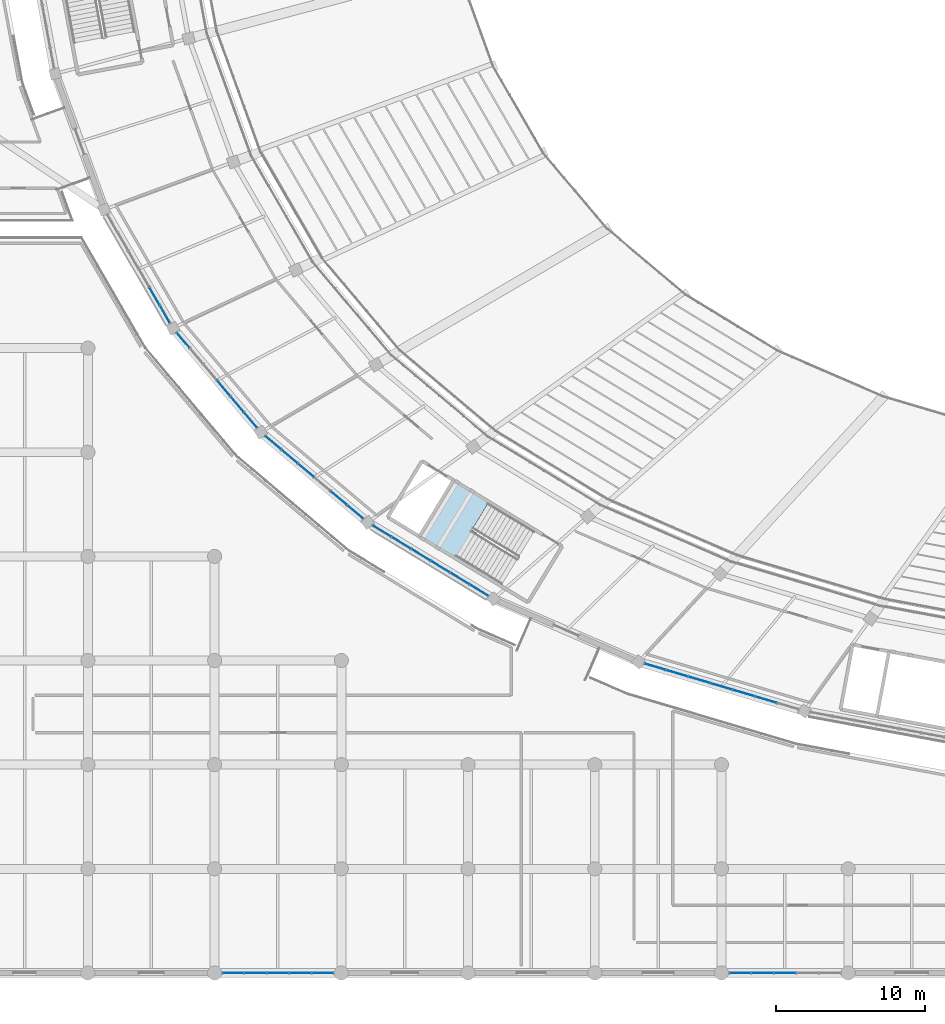
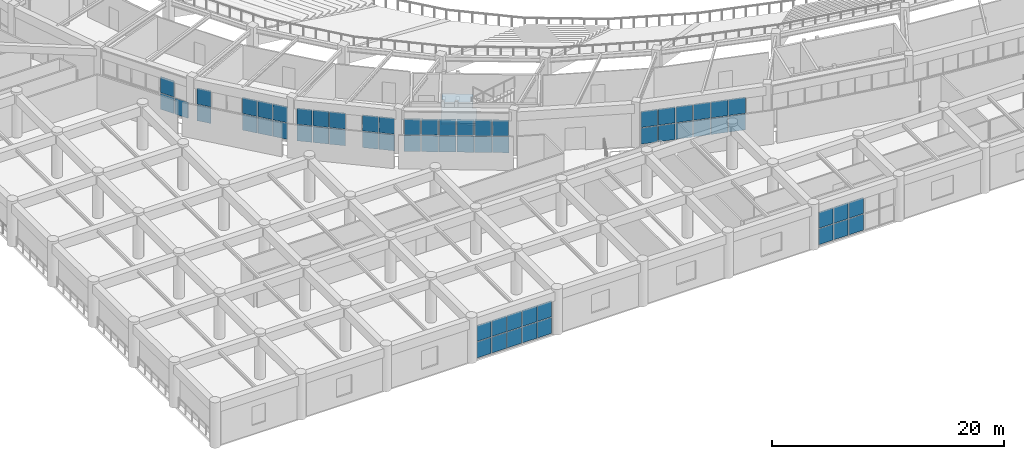
# One storey, part 74 of 137: 61 plates, 1 slab, 8 elements without a shape of their own.
"""IFC4 building model written with IfcOpenShell, lengths in metres."""

from ifc_helpers import new_model, si_unit, direction, frame, origin, origin_2d, place, context, subcontext, project, spatial, polyline, rectangle, outline, extrude, material, layer, layer_set, type_object, element, aggregate, save


model = new_model("IFC4")

# Units and contexts
model_context = context("Model", 3, precision=1e-05, world=origin(), true_north=direction((0.0, 1.0)))
body_context = subcontext(model_context, "Body", "Model", "MODEL_VIEW")
ifc_project = project(units=[si_unit("LENGTHUNIT", "METRE"), si_unit("AREAUNIT", "SQUARE_METRE"), si_unit("VOLUMEUNIT", "CUBIC_METRE"), si_unit("PLANEANGLEUNIT", "RADIAN"), si_unit("MASSUNIT", "GRAM", prefix="KILO")], contexts=[model_context])

# Site, building, storey
site_placement = place(None, origin())
site = spatial("IfcSite", under=ifc_project, at=site_placement, CompositionType="ELEMENT")
building_placement = place(site_placement, origin())
building = spatial("IfcBuilding", under=site, at=building_placement, Name="Mphavela Belvedere Stadium", CompositionType="ELEMENT")
storey_placement = place(building_placement, frame((0.0, 0.0, 19.199951171875)))
storey = spatial("IfcBuildingStorey", under=building, at=storey_placement, Name="L04", CompositionType="ELEMENT", Elevation=19.199951171875)

# Curtain wall, plates
ifc_material_1 = material(Name="Anodised bronze unitised curtain wall framing")
ifc_layer_1 = layer(ifc_material_1, 0.18994140625)
ifc_layer_set_1 = layer_set([ifc_layer_1], Name="Anodised bronze unitised curtain wall framing")
curtain_wall_type_1 = type_object("IfcCurtainWallType", Name="CW-UNIT-03", PredefinedType="USERDEFINED", material=ifc_layer_set_1)
curtain_wall_1_placement = place(storey_placement, origin())
curtain_wall_1 = element("IfcCurtainWall", 1, at=curtain_wall_1_placement, inside=storey, type_object=curtain_wall_type_1, Name="Belvedere colonnade curtain wall L04-28", ObjectType="UNITISED CURTAIN WALL", PredefinedType="USERDEFINED")
ifc_material_2 = material(Name="Solar-control double glazing", Category="glass")
ifc_layer_2 = layer(ifc_material_2, 0.031982421875)
ifc_layer_set_2 = layer_set([ifc_layer_2], Name="Solar-control double glazing")
plate_type = type_object("IfcPlateType", Name="CWP-SOLAR-GLASS", PredefinedType="CURTAIN_PANEL", material=ifc_layer_set_2)
plate_1_placement = place(storey_placement, frame((21.51708984375, 45.48388671875, 0.06005859375), z_axis=(0.0, 0.0, 1.0), x_axis=(0.500555998906, -0.865704159606, 0.0)))
plate_1 = element("IfcPlate", 2, at=plate_1_placement, type_object=plate_type, Name="CW-03 panel 5.1", PredefinedType="CURTAIN_PANEL", context=body_context, shape_type="SweptSolid", body=[
    extrude(rectangle(XDim=1.355224609375, YDim=0.031982421875, at=origin_2d()), origin(), (0.0, 0.0, 1.0), 1.695068359375),
])
plate_2_placement = place(storey_placement, frame((21.51708984375, 45.48388671875, 1.81494140625), z_axis=(0.0, 0.0, 1.0), x_axis=(0.500555998906, -0.865704159606, 0.0)))
plate_2 = element("IfcPlate", 3, at=plate_2_placement, type_object=plate_type, Name="CW-03 panel 5.2", PredefinedType="CURTAIN_PANEL", context=body_context, shape_type="SweptSolid", body=[
    extrude(rectangle(XDim=1.355224609375, YDim=0.031982421875, at=origin_2d()), origin(), (0.0, 0.0, 1.0), 1.695068359375),
])
plate_3_placement = place(storey_placement, frame((22.2197265625, 44.2685546875, 0.06005859375), z_axis=(0.0, 0.0, 1.0), x_axis=(0.500555998906, -0.865704159606, 0.0)))
plate_3 = element("IfcPlate", 4, at=plate_3_placement, type_object=plate_type, Name="CW-03 panel 6.1", PredefinedType="CURTAIN_PANEL", context=body_context, shape_type="SweptSolid", body=[
    extrude(rectangle(XDim=1.32275390625, YDim=0.031982421875, at=origin_2d()), origin(), (0.0, 0.0, 1.0), 1.695068359375),
])
aggregate(curtain_wall_1, [plate_1, plate_2, plate_3])

ifc_material_3 = material(Name="Anodised bronze unitised curtain wall framing")
ifc_layer_3 = layer(ifc_material_3, 0.195068359375)
ifc_layer_set_3 = layer_set([ifc_layer_3], Name="Anodised bronze unitised curtain wall framing")
curtain_wall_type_2 = type_object("IfcCurtainWallType", Name="CW-UNIT-04", PredefinedType="USERDEFINED", material=ifc_layer_set_3)
curtain_wall_2_placement = place(storey_placement, origin())
curtain_wall_2 = element("IfcCurtainWall", 5, at=curtain_wall_2_placement, inside=storey, type_object=curtain_wall_type_2, Name="Belvedere colonnade curtain wall L04-29", ObjectType="UNITISED CURTAIN WALL", PredefinedType="USERDEFINED")
plate_4_placement = place(storey_placement, frame((23.447021484375, 42.521728515625, 0.06005859375), z_axis=(0.0, 0.0, 1.0), x_axis=(0.645175294774, -0.764034579723, 0.0)))
plate_4 = element("IfcPlate", 6, at=plate_4_placement, type_object=plate_type, Name="CW-04 panel 1.1", PredefinedType="CURTAIN_PANEL", context=body_context, shape_type="SweptSolid", body=[
    extrude(rectangle(XDim=1.311767578125, YDim=0.031982421875, at=origin_2d()), origin(), (0.0, 0.0, 1.0), 1.695068359375),
])
plate_5_placement = place(storey_placement, frame((23.447021484375, 42.521728515625, 1.81494140625), z_axis=(0.0, 0.0, 1.0), x_axis=(0.645175294774, -0.764034579723, 0.0)))
plate_5 = element("IfcPlate", 7, at=plate_5_placement, type_object=plate_type, Name="CW-04 panel 1.2", PredefinedType="CURTAIN_PANEL", context=body_context, shape_type="SweptSolid", body=[
    extrude(rectangle(XDim=1.311767578125, YDim=0.031982421875, at=origin_2d()), origin(), (0.0, 0.0, 1.0), 1.695068359375),
])
plate_6_placement = place(storey_placement, frame((26.164306640625, 39.30419921875, 0.06005859375), z_axis=(0.0, 0.0, 1.0), x_axis=(0.645175294774, -0.764034579723, 0.0)))
plate_6 = element("IfcPlate", 8, at=plate_6_placement, type_object=plate_type, Name="CW-04 panel 4.1", PredefinedType="CURTAIN_PANEL", context=body_context, shape_type="SweptSolid", body=[
    extrude(rectangle(XDim=1.34423828125, YDim=0.031982421875, at=origin_2d()), origin(), (0.0, 0.0, 1.0), 1.695068359375),
])
plate_7_placement = place(storey_placement, frame((26.164306640625, 39.30419921875, 1.81494140625), z_axis=(0.0, 0.0, 1.0), x_axis=(0.645175294774, -0.764034579723, 0.0)))
plate_7 = element("IfcPlate", 9, at=plate_7_placement, type_object=plate_type, Name="CW-04 panel 4.2", PredefinedType="CURTAIN_PANEL", context=body_context, shape_type="SweptSolid", body=[
    extrude(rectangle(XDim=1.34423828125, YDim=0.031982421875, at=origin_2d()), origin(), (0.0, 0.0, 1.0), 1.695068359375),
])
plate_8_placement = place(storey_placement, frame((27.073486328125, 38.2275390625, 0.06005859375), z_axis=(0.0, 0.0, 1.0), x_axis=(0.645175294774, -0.764034579723, 0.0)))
plate_8 = element("IfcPlate", 10, at=plate_8_placement, type_object=plate_type, Name="CW-04 panel 5.1", PredefinedType="CURTAIN_PANEL", context=body_context, shape_type="SweptSolid", body=[
    extrude(rectangle(XDim=1.34423828125, YDim=0.031982421875, at=origin_2d()), origin(), (0.0, 0.0, 1.0), 1.695068359375),
])
plate_9_placement = place(storey_placement, frame((27.073486328125, 38.2275390625, 1.81494140625), z_axis=(0.0, 0.0, 1.0), x_axis=(0.645175294774, -0.764034579723, 0.0)))
plate_9 = element("IfcPlate", 11, at=plate_9_placement, type_object=plate_type, Name="CW-04 panel 5.2", PredefinedType="CURTAIN_PANEL", context=body_context, shape_type="SweptSolid", body=[
    extrude(rectangle(XDim=1.34423828125, YDim=0.031982421875, at=origin_2d()), origin(), (0.0, 0.0, 1.0), 1.695068359375),
])
plate_10_placement = place(storey_placement, frame((27.97216796875, 37.1630859375, 0.06005859375), z_axis=(0.0, 0.0, 1.0), x_axis=(0.645175294774, -0.764034579723, 0.0)))
plate_10 = element("IfcPlate", 12, at=plate_10_placement, type_object=plate_type, Name="CW-04 panel 6.1", PredefinedType="CURTAIN_PANEL", context=body_context, shape_type="SweptSolid", body=[
    extrude(rectangle(XDim=1.311767578125, YDim=0.031982421875, at=origin_2d()), origin(), (0.0, 0.0, 1.0), 1.695068359375),
])
plate_11_placement = place(storey_placement, frame((27.97216796875, 37.1630859375, 1.81494140625), z_axis=(0.0, 0.0, 1.0), x_axis=(0.645175294774, -0.764034579723, 0.0)))
plate_11 = element("IfcPlate", 13, at=plate_11_placement, type_object=plate_type, Name="CW-04 panel 6.2", PredefinedType="CURTAIN_PANEL", context=body_context, shape_type="SweptSolid", body=[
    extrude(rectangle(XDim=1.311767578125, YDim=0.031982421875, at=origin_2d()), origin(), (0.0, 0.0, 1.0), 1.695068359375),
])
aggregate(curtain_wall_2, [plate_4, plate_5, plate_6, plate_7, plate_8, plate_9, plate_10, plate_11])

ifc_material_4 = material(Name="Anodised bronze unitised curtain wall framing")
ifc_layer_4 = layer(ifc_material_4, 0.199951171875)
ifc_layer_set_4 = layer_set([ifc_layer_4], Name="Anodised bronze unitised curtain wall framing")
curtain_wall_type_3 = type_object("IfcCurtainWallType", Name="CW-UNIT-05", PredefinedType="USERDEFINED", material=ifc_layer_set_4)
curtain_wall_3_placement = place(storey_placement, origin())
curtain_wall_3 = element("IfcCurtainWall", 14, at=curtain_wall_3_placement, inside=storey, type_object=curtain_wall_type_3, Name="Belvedere colonnade curtain wall L04-30", ObjectType="UNITISED CURTAIN WALL", PredefinedType="USERDEFINED")
plate_12_placement = place(storey_placement, frame((29.494384765625, 35.64404296875, 0.06005859375), z_axis=(0.0, 0.0, 1.0), x_axis=(0.764253429051, -0.644916038089, 0.0)))
plate_12 = element("IfcPlate", 15, at=plate_12_placement, type_object=plate_type, Name="CW-05 panel 1.1", PredefinedType="CURTAIN_PANEL", context=body_context, shape_type="SweptSolid", body=[
    extrude(rectangle(XDim=1.352783203125, YDim=0.031982421875, at=origin_2d()), origin(), (0.0, 0.0, 1.0), 1.695068359375),
])
plate_13_placement = place(storey_placement, frame((29.494384765625, 35.64404296875, 1.81494140625), z_axis=(0.0, 0.0, 1.0), x_axis=(0.764253429051, -0.644916038089, 0.0)))
plate_13 = element("IfcPlate", 16, at=plate_13_placement, type_object=plate_type, Name="CW-05 panel 1.2", PredefinedType="CURTAIN_PANEL", context=body_context, shape_type="SweptSolid", body=[
    extrude(rectangle(XDim=1.352783203125, YDim=0.031982421875, at=origin_2d()), origin(), (0.0, 0.0, 1.0), 1.695068359375),
])
plate_14_placement = place(storey_placement, frame((30.59033203125, 34.718994140625, 0.06005859375), z_axis=(0.0, 0.0, 1.0), x_axis=(0.764253429051, -0.644916038089, 0.0)))
plate_14 = element("IfcPlate", 17, at=plate_14_placement, type_object=plate_type, Name="CW-05 panel 2.1", PredefinedType="CURTAIN_PANEL", context=body_context, shape_type="SweptSolid", body=[
    extrude(rectangle(XDim=1.38525390625, YDim=0.031982421875, at=origin_2d()), origin(), (0.0, 0.0, 1.0), 1.695068359375),
])
plate_15_placement = place(storey_placement, frame((30.59033203125, 34.718994140625, 1.81494140625), z_axis=(0.0, 0.0, 1.0), x_axis=(0.764253429051, -0.644916038089, 0.0)))
plate_15 = element("IfcPlate", 18, at=plate_15_placement, type_object=plate_type, Name="CW-05 panel 2.2", PredefinedType="CURTAIN_PANEL", context=body_context, shape_type="SweptSolid", body=[
    extrude(rectangle(XDim=1.38525390625, YDim=0.031982421875, at=origin_2d()), origin(), (0.0, 0.0, 1.0), 1.695068359375),
])
plate_16_placement = place(storey_placement, frame((31.69873046875, 33.78369140625, 0.06005859375), z_axis=(0.0, 0.0, 1.0), x_axis=(0.764253429051, -0.644916038089, 0.0)))
plate_16 = element("IfcPlate", 19, at=plate_16_placement, type_object=plate_type, Name="CW-05 panel 3.1", PredefinedType="CURTAIN_PANEL", context=body_context, shape_type="SweptSolid", body=[
    extrude(rectangle(XDim=1.38525390625, YDim=0.031982421875, at=origin_2d()), origin(), (0.0, 0.0, 1.0), 1.695068359375),
])
plate_17_placement = place(storey_placement, frame((31.69873046875, 33.78369140625, 1.81494140625), z_axis=(0.0, 0.0, 1.0), x_axis=(0.764253429051, -0.644916038089, 0.0)))
plate_17 = element("IfcPlate", 20, at=plate_17_placement, type_object=plate_type, Name="CW-05 panel 3.2", PredefinedType="CURTAIN_PANEL", context=body_context, shape_type="SweptSolid", body=[
    extrude(rectangle(XDim=1.38525390625, YDim=0.031982421875, at=origin_2d()), origin(), (0.0, 0.0, 1.0), 1.695068359375),
])
plate_18_placement = place(storey_placement, frame((33.915771484375, 31.912841796875, 0.06005859375), z_axis=(0.0, 0.0, 1.0), x_axis=(0.764253429051, -0.644916038089, 0.0)))
plate_18 = element("IfcPlate", 21, at=plate_18_placement, type_object=plate_type, Name="CW-05 panel 5.1", PredefinedType="CURTAIN_PANEL", context=body_context, shape_type="SweptSolid", body=[
    extrude(rectangle(XDim=1.38525390625, YDim=0.031982421875, at=origin_2d()), origin(), (0.0, 0.0, 1.0), 1.695068359375),
])
plate_19_placement = place(storey_placement, frame((33.915771484375, 31.912841796875, 1.81494140625), z_axis=(0.0, 0.0, 1.0), x_axis=(0.764253429051, -0.644916038089, 0.0)))
plate_19 = element("IfcPlate", 22, at=plate_19_placement, type_object=plate_type, Name="CW-05 panel 5.2", PredefinedType="CURTAIN_PANEL", context=body_context, shape_type="SweptSolid", body=[
    extrude(rectangle(XDim=1.38525390625, YDim=0.031982421875, at=origin_2d()), origin(), (0.0, 0.0, 1.0), 1.695068359375),
])
plate_20_placement = place(storey_placement, frame((35.01171875, 30.988037109375, 0.06005859375), z_axis=(0.0, 0.0, 1.0), x_axis=(0.764253429051, -0.644916038089, 0.0)))
plate_20 = element("IfcPlate", 23, at=plate_20_placement, type_object=plate_type, Name="CW-05 panel 6.1", PredefinedType="CURTAIN_PANEL", context=body_context, shape_type="SweptSolid", body=[
    extrude(rectangle(XDim=1.352783203125, YDim=0.031982421875, at=origin_2d()), origin(), (0.0, 0.0, 1.0), 1.695068359375),
])
plate_21_placement = place(storey_placement, frame((35.01171875, 30.988037109375, 1.81494140625), z_axis=(0.0, 0.0, 1.0), x_axis=(0.764253429051, -0.644916038089, 0.0)))
plate_21 = element("IfcPlate", 24, at=plate_21_placement, type_object=plate_type, Name="CW-05 panel 6.2", PredefinedType="CURTAIN_PANEL", context=body_context, shape_type="SweptSolid", body=[
    extrude(rectangle(XDim=1.352783203125, YDim=0.031982421875, at=origin_2d()), origin(), (0.0, 0.0, 1.0), 1.695068359375),
])
aggregate(curtain_wall_3, [plate_12, plate_13, plate_14, plate_15, plate_16, plate_17, plate_18, plate_19, plate_20, plate_21])

ifc_material_5 = material(Name="Anodised bronze unitised curtain wall framing")
ifc_layer_5 = layer(ifc_material_5, 0.205078125)
ifc_layer_set_5 = layer_set([ifc_layer_5], Name="Anodised bronze unitised curtain wall framing")
curtain_wall_type_4 = type_object("IfcCurtainWallType", Name="CW-UNIT-06", PredefinedType="USERDEFINED", material=ifc_layer_set_5)
curtain_wall_4_placement = place(storey_placement, origin())
curtain_wall_4 = element("IfcCurtainWall", 25, at=curtain_wall_4_placement, inside=storey, type_object=curtain_wall_type_4, Name="Belvedere colonnade curtain wall L04-31", ObjectType="UNITISED CURTAIN WALL", PredefinedType="USERDEFINED")
plate_22_placement = place(storey_placement, frame((36.81103515625, 29.697509765625, 0.06005859375), z_axis=(0.0, 0.0, 1.0), x_axis=(0.854327323226, -0.519735341101, 0.0)))
plate_22 = element("IfcPlate", 26, at=plate_22_placement, type_object=plate_type, Name="CW-06 panel 1.1", PredefinedType="CURTAIN_PANEL", context=body_context, shape_type="SweptSolid", body=[
    extrude(rectangle(XDim=1.436767578125, YDim=0.031982421875, at=origin_2d()), origin(), (0.0, 0.0, 1.0), 1.695068359375),
])
plate_23_placement = place(storey_placement, frame((36.81103515625, 29.697509765625, 1.81494140625), z_axis=(0.0, 0.0, 1.0), x_axis=(0.854327323226, -0.519735341101, 0.0)))
plate_23 = element("IfcPlate", 27, at=plate_23_placement, type_object=plate_type, Name="CW-06 panel 1.2", PredefinedType="CURTAIN_PANEL", context=body_context, shape_type="SweptSolid", body=[
    extrude(rectangle(XDim=1.436767578125, YDim=0.031982421875, at=origin_2d()), origin(), (0.0, 0.0, 1.0), 1.695068359375),
])
plate_24_placement = place(storey_placement, frame((38.10791015625, 28.908447265625, 0.06005859375), z_axis=(0.0, 0.0, 1.0), x_axis=(0.854327323226, -0.519735341101, 0.0)))
plate_24 = element("IfcPlate", 28, at=plate_24_placement, type_object=plate_type, Name="CW-06 panel 2.1", PredefinedType="CURTAIN_PANEL", context=body_context, shape_type="SweptSolid", body=[
    extrude(rectangle(XDim=1.46923828125, YDim=0.031982421875, at=origin_2d()), origin(), (0.0, 0.0, 1.0), 1.695068359375),
])
plate_25_placement = place(storey_placement, frame((38.10791015625, 28.908447265625, 1.81494140625), z_axis=(0.0, 0.0, 1.0), x_axis=(0.854327323226, -0.519735341101, 0.0)))
plate_25 = element("IfcPlate", 29, at=plate_25_placement, type_object=plate_type, Name="CW-06 panel 2.2", PredefinedType="CURTAIN_PANEL", context=body_context, shape_type="SweptSolid", body=[
    extrude(rectangle(XDim=1.46923828125, YDim=0.031982421875, at=origin_2d()), origin(), (0.0, 0.0, 1.0), 1.695068359375),
])
plate_26_placement = place(storey_placement, frame((39.418701171875, 28.111083984375, 0.06005859375), z_axis=(0.0, 0.0, 1.0), x_axis=(0.854327323226, -0.519735341101, 0.0)))
plate_26 = element("IfcPlate", 30, at=plate_26_placement, type_object=plate_type, Name="CW-06 panel 3.1", PredefinedType="CURTAIN_PANEL", context=body_context, shape_type="SweptSolid", body=[
    extrude(rectangle(XDim=1.46923828125, YDim=0.031982421875, at=origin_2d()), origin(), (0.0, 0.0, 1.0), 1.695068359375),
])
plate_27_placement = place(storey_placement, frame((39.418701171875, 28.111083984375, 1.81494140625), z_axis=(0.0, 0.0, 1.0), x_axis=(0.854327323226, -0.519735341101, 0.0)))
plate_27 = element("IfcPlate", 31, at=plate_27_placement, type_object=plate_type, Name="CW-06 panel 3.2", PredefinedType="CURTAIN_PANEL", context=body_context, shape_type="SweptSolid", body=[
    extrude(rectangle(XDim=1.46923828125, YDim=0.031982421875, at=origin_2d()), origin(), (0.0, 0.0, 1.0), 1.695068359375),
])
plate_28_placement = place(storey_placement, frame((40.7294921875, 27.3134765625, 0.06005859375), z_axis=(0.0, 0.0, 1.0), x_axis=(0.854327323226, -0.519735341101, 0.0)))
plate_28 = element("IfcPlate", 32, at=plate_28_placement, type_object=plate_type, Name="CW-06 panel 4.1", PredefinedType="CURTAIN_PANEL", context=body_context, shape_type="SweptSolid", body=[
    extrude(rectangle(XDim=1.46923828125, YDim=0.031982421875, at=origin_2d()), origin(), (0.0, 0.0, 1.0), 1.695068359375),
])
plate_29_placement = place(storey_placement, frame((40.7294921875, 27.3134765625, 1.81494140625), z_axis=(0.0, 0.0, 1.0), x_axis=(0.854327323226, -0.519735341101, 0.0)))
plate_29 = element("IfcPlate", 33, at=plate_29_placement, type_object=plate_type, Name="CW-06 panel 4.2", PredefinedType="CURTAIN_PANEL", context=body_context, shape_type="SweptSolid", body=[
    extrude(rectangle(XDim=1.46923828125, YDim=0.031982421875, at=origin_2d()), origin(), (0.0, 0.0, 1.0), 1.695068359375),
])
plate_30_placement = place(storey_placement, frame((42.040283203125, 26.51611328125, 0.06005859375), z_axis=(0.0, 0.0, 1.0), x_axis=(0.854327323226, -0.519735341101, 0.0)))
plate_30 = element("IfcPlate", 34, at=plate_30_placement, type_object=plate_type, Name="CW-06 panel 5.1", PredefinedType="CURTAIN_PANEL", context=body_context, shape_type="SweptSolid", body=[
    extrude(rectangle(XDim=1.46923828125, YDim=0.031982421875, at=origin_2d()), origin(), (0.0, 0.0, 1.0), 1.695068359375),
])
plate_31_placement = place(storey_placement, frame((42.040283203125, 26.51611328125, 1.81494140625), z_axis=(0.0, 0.0, 1.0), x_axis=(0.854327323226, -0.519735341101, 0.0)))
plate_31 = element("IfcPlate", 35, at=plate_31_placement, type_object=plate_type, Name="CW-06 panel 5.2", PredefinedType="CURTAIN_PANEL", context=body_context, shape_type="SweptSolid", body=[
    extrude(rectangle(XDim=1.46923828125, YDim=0.031982421875, at=origin_2d()), origin(), (0.0, 0.0, 1.0), 1.695068359375),
])
plate_32_placement = place(storey_placement, frame((43.337158203125, 25.72705078125, 0.06005859375), z_axis=(0.0, 0.0, 1.0), x_axis=(0.854327323226, -0.519735341101, 0.0)))
plate_32 = element("IfcPlate", 36, at=plate_32_placement, type_object=plate_type, Name="CW-06 panel 6.1", PredefinedType="CURTAIN_PANEL", context=body_context, shape_type="SweptSolid", body=[
    extrude(rectangle(XDim=1.436767578125, YDim=0.031982421875, at=origin_2d()), origin(), (0.0, 0.0, 1.0), 1.695068359375),
])
plate_33_placement = place(storey_placement, frame((43.337158203125, 25.72705078125, 1.81494140625), z_axis=(0.0, 0.0, 1.0), x_axis=(0.854327323226, -0.519735341101, 0.0)))
plate_33 = element("IfcPlate", 37, at=plate_33_placement, type_object=plate_type, Name="CW-06 panel 6.2", PredefinedType="CURTAIN_PANEL", context=body_context, shape_type="SweptSolid", body=[
    extrude(rectangle(XDim=1.436767578125, YDim=0.031982421875, at=origin_2d()), origin(), (0.0, 0.0, 1.0), 1.695068359375),
])
aggregate(curtain_wall_4, [plate_22, plate_23, plate_24, plate_25, plate_26, plate_27, plate_28, plate_29, plate_30, plate_31, plate_32, plate_33])

ifc_material_6 = material(Name="Anodised bronze unitised curtain wall framing")
ifc_layer_6 = layer(ifc_material_6, 0.179931640625)
ifc_layer_set_6 = layer_set([ifc_layer_6], Name="Anodised bronze unitised curtain wall framing")
curtain_wall_type_5 = type_object("IfcCurtainWallType", Name="CW-UNIT-01", PredefinedType="USERDEFINED", material=ifc_layer_set_6)
curtain_wall_5_placement = place(storey_placement, origin())
curtain_wall_5 = element("IfcCurtainWall", 38, at=curtain_wall_5_placement, inside=storey, type_object=curtain_wall_type_5, Name="Belvedere colonnade curtain wall L04-33", ObjectType="UNITISED CURTAIN WALL", PredefinedType="USERDEFINED")
plate_34_placement = place(storey_placement, frame((55.159423828125, 20.5830078125, 0.06005859375), z_axis=(0.0, 0.0, 1.0), x_axis=(0.958657951671, -0.284560945489, 0.0)))
plate_34 = element("IfcPlate", 39, at=plate_34_placement, type_object=plate_type, Name="CW-01 panel 1.1", PredefinedType="CURTAIN_PANEL", context=body_context, shape_type="SweptSolid", body=[
    extrude(rectangle(XDim=1.462646484375, YDim=0.031982421875, at=origin_2d()), origin(), (0.0, 0.0, 1.0), 1.695068359375),
])
plate_35_placement = place(storey_placement, frame((55.159423828125, 20.5830078125, 1.81494140625), z_axis=(0.0, 0.0, 1.0), x_axis=(0.958657951671, -0.284560945489, 0.0)))
plate_35 = element("IfcPlate", 40, at=plate_35_placement, type_object=plate_type, Name="CW-01 panel 1.2", PredefinedType="CURTAIN_PANEL", context=body_context, shape_type="SweptSolid", body=[
    extrude(rectangle(XDim=1.462646484375, YDim=0.031982421875, at=origin_2d()), origin(), (0.0, 0.0, 1.0), 1.695068359375),
])
plate_36_placement = place(storey_placement, frame((56.639404296875, 20.143798828125, 0.06005859375), z_axis=(0.0, 0.0, 1.0), x_axis=(0.958657951671, -0.284560945489, 0.0)))
plate_36 = element("IfcPlate", 41, at=plate_36_placement, type_object=plate_type, Name="CW-01 panel 2.1", PredefinedType="CURTAIN_PANEL", context=body_context, shape_type="SweptSolid", body=[
    extrude(rectangle(XDim=1.4951171875, YDim=0.031982421875, at=origin_2d()), origin(), (0.0, 0.0, 1.0), 1.695068359375),
])
plate_37_placement = place(storey_placement, frame((56.639404296875, 20.143798828125, 1.81494140625), z_axis=(0.0, 0.0, 1.0), x_axis=(0.958657951671, -0.284560945489, 0.0)))
plate_37 = element("IfcPlate", 42, at=plate_37_placement, type_object=plate_type, Name="CW-01 panel 2.2", PredefinedType="CURTAIN_PANEL", context=body_context, shape_type="SweptSolid", body=[
    extrude(rectangle(XDim=1.4951171875, YDim=0.031982421875, at=origin_2d()), origin(), (0.0, 0.0, 1.0), 1.695068359375),
])
plate_38_placement = place(storey_placement, frame((58.135009765625, 19.699951171875, 0.06005859375), z_axis=(0.0, 0.0, 1.0), x_axis=(0.958657951671, -0.284560945489, 0.0)))
plate_38 = element("IfcPlate", 43, at=plate_38_placement, type_object=plate_type, Name="CW-01 panel 3.1", PredefinedType="CURTAIN_PANEL", context=body_context, shape_type="SweptSolid", body=[
    extrude(rectangle(XDim=1.4951171875, YDim=0.031982421875, at=origin_2d()), origin(), (0.0, 0.0, 1.0), 1.695068359375),
])
plate_39_placement = place(storey_placement, frame((58.135009765625, 19.699951171875, 1.81494140625), z_axis=(0.0, 0.0, 1.0), x_axis=(0.958657951671, -0.284560945489, 0.0)))
plate_39 = element("IfcPlate", 44, at=plate_39_placement, type_object=plate_type, Name="CW-01 panel 3.2", PredefinedType="CURTAIN_PANEL", context=body_context, shape_type="SweptSolid", body=[
    extrude(rectangle(XDim=1.4951171875, YDim=0.031982421875, at=origin_2d()), origin(), (0.0, 0.0, 1.0), 1.695068359375),
])
plate_40_placement = place(storey_placement, frame((59.630615234375, 19.255859375, 0.06005859375), z_axis=(0.0, 0.0, 1.0), x_axis=(0.958657951671, -0.284560945489, 0.0)))
plate_40 = element("IfcPlate", 45, at=plate_40_placement, type_object=plate_type, Name="CW-01 panel 4.1", PredefinedType="CURTAIN_PANEL", context=body_context, shape_type="SweptSolid", body=[
    extrude(rectangle(XDim=1.4951171875, YDim=0.031982421875, at=origin_2d()), origin(), (0.0, 0.0, 1.0), 1.695068359375),
])
plate_41_placement = place(storey_placement, frame((59.630615234375, 19.255859375, 1.81494140625), z_axis=(0.0, 0.0, 1.0), x_axis=(0.958657951671, -0.284560945489, 0.0)))
plate_41 = element("IfcPlate", 46, at=plate_41_placement, type_object=plate_type, Name="CW-01 panel 4.2", PredefinedType="CURTAIN_PANEL", context=body_context, shape_type="SweptSolid", body=[
    extrude(rectangle(XDim=1.4951171875, YDim=0.031982421875, at=origin_2d()), origin(), (0.0, 0.0, 1.0), 1.695068359375),
])
plate_42_placement = place(storey_placement, frame((61.126220703125, 18.81201171875, 0.06005859375), z_axis=(0.0, 0.0, 1.0), x_axis=(0.958657951671, -0.284560945489, 0.0)))
plate_42 = element("IfcPlate", 47, at=plate_42_placement, type_object=plate_type, Name="CW-01 panel 5.1", PredefinedType="CURTAIN_PANEL", context=body_context, shape_type="SweptSolid", body=[
    extrude(rectangle(XDim=1.4951171875, YDim=0.031982421875, at=origin_2d()), origin(), (0.0, 0.0, 1.0), 1.695068359375),
])
plate_43_placement = place(storey_placement, frame((61.126220703125, 18.81201171875, 1.81494140625), z_axis=(0.0, 0.0, 1.0), x_axis=(0.958657951671, -0.284560945489, 0.0)))
plate_43 = element("IfcPlate", 48, at=plate_43_placement, type_object=plate_type, Name="CW-01 panel 5.2", PredefinedType="CURTAIN_PANEL", context=body_context, shape_type="SweptSolid", body=[
    extrude(rectangle(XDim=1.4951171875, YDim=0.031982421875, at=origin_2d()), origin(), (0.0, 0.0, 1.0), 1.695068359375),
])
plate_44_placement = place(storey_placement, frame((62.621826171875, 18.367919921875, 0.06005859375), z_axis=(0.0, 0.0, 1.0), x_axis=(0.958657951671, -0.284560945489, 0.0)))
plate_44 = element("IfcPlate", 49, at=plate_44_placement, type_object=plate_type, Name="CW-01 panel 6.1", PredefinedType="CURTAIN_PANEL", context=body_context, shape_type="SweptSolid", body=[
    extrude(rectangle(XDim=1.4951171875, YDim=0.031982421875, at=origin_2d()), origin(), (0.0, 0.0, 1.0), 1.695068359375),
])
plate_45_placement = place(storey_placement, frame((62.621826171875, 18.367919921875, 1.81494140625), z_axis=(0.0, 0.0, 1.0), x_axis=(0.958657951671, -0.284560945489, 0.0)))
plate_45 = element("IfcPlate", 50, at=plate_45_placement, type_object=plate_type, Name="CW-01 panel 6.2", PredefinedType="CURTAIN_PANEL", context=body_context, shape_type="SweptSolid", body=[
    extrude(rectangle(XDim=1.4951171875, YDim=0.031982421875, at=origin_2d()), origin(), (0.0, 0.0, 1.0), 1.695068359375),
])
aggregate(curtain_wall_5, [plate_34, plate_35, plate_36, plate_37, plate_38, plate_39, plate_40, plate_41, plate_42, plate_43, plate_44, plate_45])

curtain_wall_6_placement = place(storey_placement, origin())
curtain_wall_6 = element("IfcCurtainWall", 51, at=curtain_wall_6_placement, inside=storey, type_object=curtain_wall_type_1, Name="South Axial Triumphal Peristyle Portico gallery curtain wall L04-04", ObjectType="UNITISED CURTAIN WALL", PredefinedType="USERDEFINED")
plate_46_placement = place(storey_placement, frame((32.82763671875, 0.0, 0.06005859375), z_axis=(0.0, 0.0, 1.0), x_axis=(-1.0, 0.0, 0.0)))
plate_46 = element("IfcPlate", 52, at=plate_46_placement, type_object=plate_type, Name="CW-03 panel 1.1", PredefinedType="CURTAIN_PANEL", context=body_context, shape_type="SweptSolid", body=[
    extrude(rectangle(XDim=1.4169921875, YDim=0.031982421875, at=origin_2d()), origin(), (0.0, 0.0, 1.0), 1.68994140625),
])
plate_47_placement = place(storey_placement, frame((32.82763671875, 0.0, 1.81005859375), z_axis=(0.0, 0.0, 1.0), x_axis=(-1.0, 0.0, 0.0)))
plate_47 = element("IfcPlate", 53, at=plate_47_placement, type_object=plate_type, Name="CW-03 panel 1.2", PredefinedType="CURTAIN_PANEL", context=body_context, shape_type="SweptSolid", body=[
    extrude(rectangle(XDim=1.4169921875, YDim=0.031982421875, at=origin_2d()), origin(), (0.0, 0.0, 1.0), 1.68994140625),
])
plate_48_placement = place(storey_placement, frame((31.329345703125, 0.0, 0.06005859375), z_axis=(0.0, 0.0, 1.0), x_axis=(-1.0, 0.0, 0.0)))
plate_48 = element("IfcPlate", 54, at=plate_48_placement, type_object=plate_type, Name="CW-03 panel 2.1", PredefinedType="CURTAIN_PANEL", context=body_context, shape_type="SweptSolid", body=[
    extrude(rectangle(XDim=1.449462890625, YDim=0.031982421875, at=origin_2d()), origin(), (0.0, 0.0, 1.0), 1.68994140625),
])
plate_49_placement = place(storey_placement, frame((31.329345703125, 0.0, 1.81005859375), z_axis=(0.0, 0.0, 1.0), x_axis=(-1.0, 0.0, 0.0)))
plate_49 = element("IfcPlate", 55, at=plate_49_placement, type_object=plate_type, Name="CW-03 panel 2.2", PredefinedType="CURTAIN_PANEL", context=body_context, shape_type="SweptSolid", body=[
    extrude(rectangle(XDim=1.449462890625, YDim=0.031982421875, at=origin_2d()), origin(), (0.0, 0.0, 1.0), 1.68994140625),
])
plate_50_placement = place(storey_placement, frame((29.81494140625, 0.0, 0.06005859375), z_axis=(0.0, 0.0, 1.0), x_axis=(-1.0, 0.0, 0.0)))
plate_50 = element("IfcPlate", 56, at=plate_50_placement, type_object=plate_type, Name="CW-03 panel 3.1", PredefinedType="CURTAIN_PANEL", context=body_context, shape_type="SweptSolid", body=[
    extrude(rectangle(XDim=1.449462890625, YDim=0.031982421875, at=origin_2d()), origin(), (0.0, 0.0, 1.0), 1.68994140625),
])
plate_51_placement = place(storey_placement, frame((29.81494140625, 0.0, 1.81005859375), z_axis=(0.0, 0.0, 1.0), x_axis=(-1.0, 0.0, 0.0)))
plate_51 = element("IfcPlate", 57, at=plate_51_placement, type_object=plate_type, Name="CW-03 panel 3.2", PredefinedType="CURTAIN_PANEL", context=body_context, shape_type="SweptSolid", body=[
    extrude(rectangle(XDim=1.449462890625, YDim=0.031982421875, at=origin_2d()), origin(), (0.0, 0.0, 1.0), 1.68994140625),
])
plate_52_placement = place(storey_placement, frame((28.300537109375, 0.0, 0.06005859375), z_axis=(0.0, 0.0, 1.0), x_axis=(-1.0, 0.0, 0.0)))
plate_52 = element("IfcPlate", 58, at=plate_52_placement, type_object=plate_type, Name="CW-03 panel 4.1", PredefinedType="CURTAIN_PANEL", context=body_context, shape_type="SweptSolid", body=[
    extrude(rectangle(XDim=1.449462890625, YDim=0.031982421875, at=origin_2d()), origin(), (0.0, 0.0, 1.0), 1.68994140625),
])
plate_53_placement = place(storey_placement, frame((28.300537109375, 0.0, 1.81005859375), z_axis=(0.0, 0.0, 1.0), x_axis=(-1.0, 0.0, 0.0)))
plate_53 = element("IfcPlate", 59, at=plate_53_placement, type_object=plate_type, Name="CW-03 panel 4.2", PredefinedType="CURTAIN_PANEL", context=body_context, shape_type="SweptSolid", body=[
    extrude(rectangle(XDim=1.449462890625, YDim=0.031982421875, at=origin_2d()), origin(), (0.0, 0.0, 1.0), 1.68994140625),
])
plate_54_placement = place(storey_placement, frame((26.802490234375, 0.0, 0.06005859375), z_axis=(0.0, 0.0, 1.0), x_axis=(-1.0, 0.0, 0.0)))
plate_54 = element("IfcPlate", 60, at=plate_54_placement, type_object=plate_type, Name="CW-03 panel 5.1", PredefinedType="CURTAIN_PANEL", context=body_context, shape_type="SweptSolid", body=[
    extrude(rectangle(XDim=1.4169921875, YDim=0.031982421875, at=origin_2d()), origin(), (0.0, 0.0, 1.0), 1.68994140625),
])
plate_55_placement = place(storey_placement, frame((26.802490234375, 0.0, 1.81005859375), z_axis=(0.0, 0.0, 1.0), x_axis=(-1.0, 0.0, 0.0)))
plate_55 = element("IfcPlate", 61, at=plate_55_placement, type_object=plate_type, Name="CW-03 panel 5.2", PredefinedType="CURTAIN_PANEL", context=body_context, shape_type="SweptSolid", body=[
    extrude(rectangle(XDim=1.4169921875, YDim=0.031982421875, at=origin_2d()), origin(), (0.0, 0.0, 1.0), 1.68994140625),
])
aggregate(curtain_wall_6, [plate_46, plate_47, plate_48, plate_49, plate_50, plate_51, plate_52, plate_53, plate_54, plate_55])

curtain_wall_7_placement = place(storey_placement, origin())
curtain_wall_7 = element("IfcCurtainWall", 62, at=curtain_wall_7_placement, inside=storey, type_object=curtain_wall_type_2, Name="South Axial Triumphal Peristyle Portico gallery curtain wall L04-08", ObjectType="UNITISED CURTAIN WALL", PredefinedType="USERDEFINED")
plate_56_placement = place(storey_placement, frame((63.888916015625, 0.0, 0.06005859375), z_axis=(0.0, 0.0, 1.0), x_axis=(-1.0, 0.0, 0.0)))
plate_56 = element("IfcPlate", 63, at=plate_56_placement, type_object=plate_type, Name="CW-04 panel 3.1", PredefinedType="CURTAIN_PANEL", context=body_context, shape_type="SweptSolid", body=[
    extrude(rectangle(XDim=1.449462890625, YDim=0.031982421875, at=origin_2d()), origin(), (0.0, 0.0, 1.0), 1.68994140625),
])
plate_57_placement = place(storey_placement, frame((63.888916015625, 0.0, 1.81005859375), z_axis=(0.0, 0.0, 1.0), x_axis=(-1.0, 0.0, 0.0)))
plate_57 = element("IfcPlate", 64, at=plate_57_placement, type_object=plate_type, Name="CW-04 panel 3.2", PredefinedType="CURTAIN_PANEL", context=body_context, shape_type="SweptSolid", body=[
    extrude(rectangle(XDim=1.449462890625, YDim=0.031982421875, at=origin_2d()), origin(), (0.0, 0.0, 1.0), 1.68994140625),
])
plate_58_placement = place(storey_placement, frame((62.37451171875, 0.0, 0.06005859375), z_axis=(0.0, 0.0, 1.0), x_axis=(-1.0, 0.0, 0.0)))
plate_58 = element("IfcPlate", 65, at=plate_58_placement, type_object=plate_type, Name="CW-04 panel 4.1", PredefinedType="CURTAIN_PANEL", context=body_context, shape_type="SweptSolid", body=[
    extrude(rectangle(XDim=1.449462890625, YDim=0.031982421875, at=origin_2d()), origin(), (0.0, 0.0, 1.0), 1.68994140625),
])
plate_59_placement = place(storey_placement, frame((62.37451171875, 0.0, 1.81005859375), z_axis=(0.0, 0.0, 1.0), x_axis=(-1.0, 0.0, 0.0)))
plate_59 = element("IfcPlate", 66, at=plate_59_placement, type_object=plate_type, Name="CW-04 panel 4.2", PredefinedType="CURTAIN_PANEL", context=body_context, shape_type="SweptSolid", body=[
    extrude(rectangle(XDim=1.449462890625, YDim=0.031982421875, at=origin_2d()), origin(), (0.0, 0.0, 1.0), 1.68994140625),
])
plate_60_placement = place(storey_placement, frame((60.87646484375, 0.0, 0.06005859375), z_axis=(0.0, 0.0, 1.0), x_axis=(-1.0, 0.0, 0.0)))
plate_60 = element("IfcPlate", 67, at=plate_60_placement, type_object=plate_type, Name="CW-04 panel 5.1", PredefinedType="CURTAIN_PANEL", context=body_context, shape_type="SweptSolid", body=[
    extrude(rectangle(XDim=1.4169921875, YDim=0.031982421875, at=origin_2d()), origin(), (0.0, 0.0, 1.0), 1.68994140625),
])
plate_61_placement = place(storey_placement, frame((60.87646484375, 0.0, 1.81005859375), z_axis=(0.0, 0.0, 1.0), x_axis=(-1.0, 0.0, 0.0)))
plate_61 = element("IfcPlate", 68, at=plate_61_placement, type_object=plate_type, Name="CW-04 panel 5.2", PredefinedType="CURTAIN_PANEL", context=body_context, shape_type="SweptSolid", body=[
    extrude(rectangle(XDim=1.4169921875, YDim=0.031982421875, at=origin_2d()), origin(), (0.0, 0.0, 1.0), 1.68994140625),
])
aggregate(curtain_wall_7, [plate_56, plate_57, plate_58, plate_59, plate_60, plate_61])

# Stair, slab
ifc_material_7 = material(Name="Concrete C40/50", Category="concrete")
stair_type = type_object("IfcStairType", Name="STR-HALF-TURN-1", PredefinedType="HALF_TURN_STAIR", material=ifc_material_7)
stair_placement = place(storey_placement, origin())
stair = element("IfcStair", 69, at=stair_placement, inside=storey, type_object=stair_type, Name="L04 Escape stair core C10", PredefinedType="HALF_TURN_STAIR")
ifc_material_8 = material(Name="Concrete C40/50", Category="concrete")
ifc_layer_7 = layer(ifc_material_8, 0.199951171875)
ifc_layer_set_7 = layer_set([ifc_layer_7], Name="Concrete C40/50")
slab_type = type_object("IfcSlabType", Name="SLB-LANDING-200", PredefinedType="LANDING", material=ifc_layer_set_7)
slab_placement = place(storey_placement, frame((0.0, 0.0, 2.199951171875)))
slab = element("IfcSlab", 70, at=slab_placement, type_object=slab_type, Name="ST-C10 landing 1", PredefinedType="LANDING", context=body_context, shape_type="SweptSolid", body=[
    extrude(outline(polyline([(44.005859375, 31.672607421875), (41.71533203125, 33.06591796875), (39.4130859375, 29.281005859375), (42.007080078125, 27.703369140625), (43.158203125, 29.595703125), (42.854736328125, 29.7802734375), (44.005859375, 31.672607421875)])), origin(), (0.0, 0.0, 1.0), 0.2001953125),
])
aggregate(stair, [slab])

save(model, "model.ifc")
